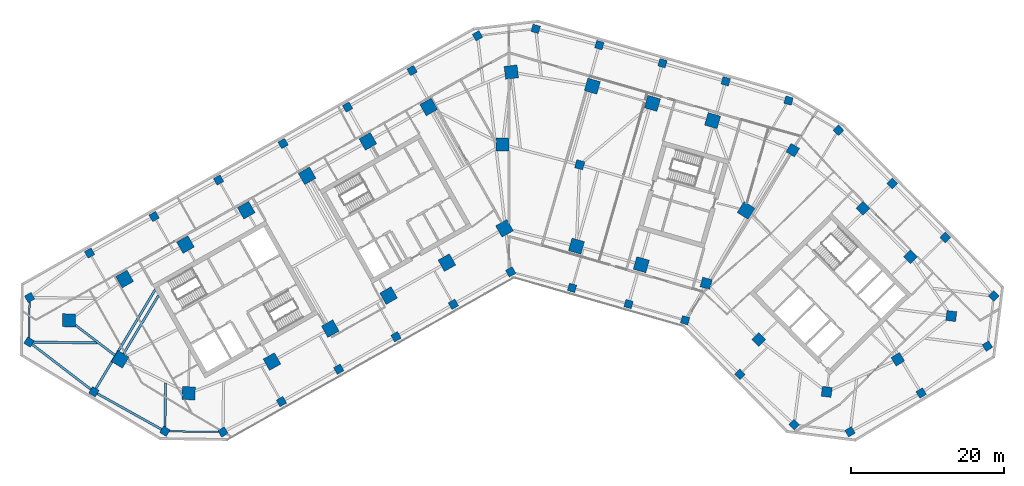
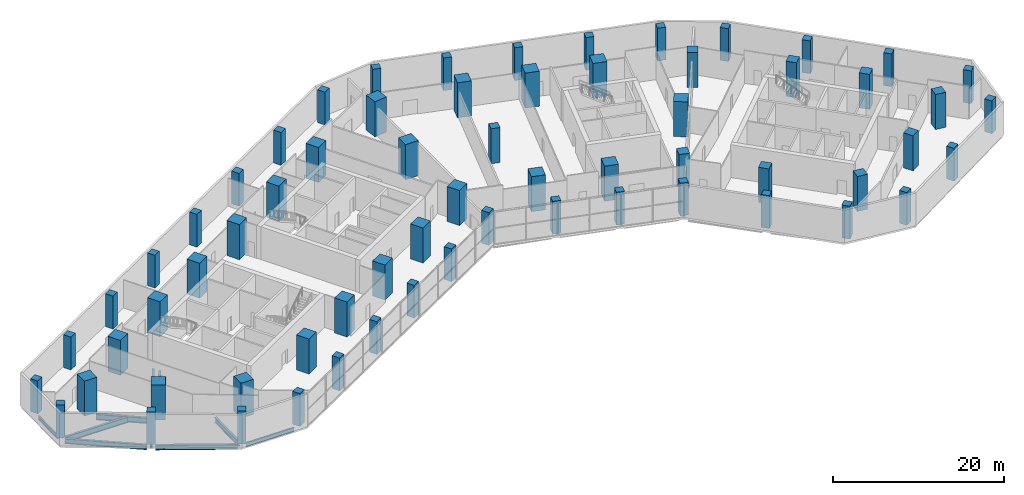
# One storey, part 1 of 16: 65 columns, 9 beams.
"""IFC4 building model written with IfcOpenShell, lengths in metres."""

from ifc_helpers import new_model, si_unit, direction, frame, origin, origin_2d, place, context, subcontext, project, spatial, rectangle, i_section, extrude, material, material_profile, profile_set, type_object, element, save


model = new_model("IFC4")

# Units and contexts
model_context = context("Model", 3, precision=1e-05, world=origin(), true_north=direction((0.0, 1.0)))
body_context = subcontext(model_context, "Body", "Model", "MODEL_VIEW")
ifc_project = project(units=[si_unit("LENGTHUNIT", "METRE"), si_unit("AREAUNIT", "SQUARE_METRE"), si_unit("VOLUMEUNIT", "CUBIC_METRE"), si_unit("PLANEANGLEUNIT", "RADIAN"), si_unit("MASSUNIT", "GRAM", prefix="KILO")], contexts=[model_context])

# Site, building, storey
site_placement = place(None, origin())
site = spatial("IfcSite", under=ifc_project, at=site_placement, CompositionType="ELEMENT")
building_placement = place(site_placement, origin())
building = spatial("IfcBuilding", under=site, at=building_placement, Name="Binnacle Exchange Tower", CompositionType="ELEMENT")
storey_placement = place(building_placement, frame((0.0, 0.0, 21.5)))
storey = spatial("IfcBuildingStorey", under=building, at=storey_placement, Name="L04", CompositionType="ELEMENT", Elevation=21.5)

# Columns
ifc_material_1 = material(Name="Concrete C60/75", Category="concrete")
ifc_material_profile_1 = material_profile(ifc_material_1, rectangle(XDim=1.10009765625, YDim=1.10009765625, at=origin_2d()), Name="Column 1100x1100 C60/75")
ifc_profile_set_1 = profile_set([ifc_material_profile_1], Name="Concrete C60/75")
column_type_1 = type_object("IfcColumnType", Name="Column 1100x1100 C60/75", PredefinedType="COLUMN", material=ifc_profile_set_1)
column_placement = place(storey_placement, frame((9.240966796875, 57.35009765625, 0.0), z_axis=(0.0, 0.0, 1.0), x_axis=(0.961261695938, -0.275637355817, 0.0)))
element("IfcColumn", 1, at=column_placement, inside=storey, type_object=column_type_1, Name="S:COL:C19:L04", PredefinedType="COLUMN", context=body_context, shape_type="SweptSolid", body=[
    extrude(rectangle(XDim=1.10009765625, YDim=1.10009765625, at=origin_2d()), origin(), (0.0, 0.0, 1.0), 5.0),
])
ifc_material_2 = material(Name="Concrete C70/85", Category="concrete")
ifc_material_profile_2 = material_profile(ifc_material_2, rectangle(XDim=1.300048828125, YDim=1.300048828125, at=origin_2d()), Name="Mega column 1300x1300 C70/85")
ifc_profile_set_2 = profile_set([ifc_material_profile_2], Name="Concrete C70/85")
column_type_2 = type_object("IfcColumnType", Name="Mega column 1300x1300 C70/85", PredefinedType="COLUMN", material=ifc_profile_set_2)
for number, where, z_axis, x_axis, name in (
    (2, (37.0849609375, 59.262451171875, 0.0), (0.0, 0.0, 1.0), (-0.859406411501, 0.511293086077, 0.0), "S:COL:MC57:L04"),
    (3, (25.766845703125, 41.85986328125, 0.0), (0.0, 0.0, 1.0), (0.961261695938, -0.275637355817, 0.0), "S:COL:MC56:L04"),
    (4, (32.64111328125, 34.530029296875, 0.0), (0.0, 0.0, 1.0), (0.7009092643, -0.713250449154, 0.0), "S:COL:MC59:L04"),
    (5, (41.519775390625, 27.6748046875, 0.0), (0.0, 0.0, 1.0), (0.99200494968, -0.126198969136, 0.0), "S:COL:MC61:L04"),
    (6, (50.81201171875, 31.930908203125, 0.0), (0.0, 0.0, 1.0), (0.857167300702, 0.51503807491, 0.0), "S:COL:MC63:L04"),
    (7, (57.799072265625, 37.5810546875, 0.0), (0.0, 0.0, 1.0), (0.126198969136, 0.99200494968, 0.0), "S:COL:MC62:L04"),
    (8, (52.466796875, 45.33935546875, 0.0), (0.0, 0.0, 1.0), (-0.7009092643, 0.713250449154, 0.0), "S:COL:MC60:L04"),
    (9, (46.248291015625, 51.667236328125, 0.0), (0.0, 0.0, 1.0), (-0.7009092643, 0.713250449154, 0.0), "S:COL:MC58:L04"),
):
    element("IfcColumn", number, at=place(storey_placement, frame(where, z_axis=z_axis, x_axis=x_axis)), inside=storey, type_object=column_type_2, Name=name, PredefinedType="COLUMN", context=body_context, shape_type="SweptSolid", body=[
        extrude(rectangle(XDim=1.300048828125, YDim=1.300048828125, at=origin_2d()), origin(), (0.0, 0.0, 1.0), 5.0),
    ])
ifc_material_profile_3 = material_profile(ifc_material_2, rectangle(XDim=1.699951171875, YDim=1.699951171875, at=origin_2d()), Name="Mega column 1700x1700 C70/85")
ifc_profile_set_3 = profile_set([ifc_material_profile_3], Name="Concrete C70/85")
column_type_3 = type_object("IfcColumnType", Name="Mega column 1700x1700 C70/85", PredefinedType="COLUMN", material=ifc_profile_set_3)
for number, where, z_axis, x_axis, name in (
    (10, (26.602783203125, 63.12353515625, 0.0), (0.0, 0.0, 1.0), (-0.961261695938, 0.275637355817, 0.0), "S:COL:MC52:L04"),
    (11, (18.746337890625, 65.376220703125, 0.0), (0.0, 0.0, 1.0), (-0.961261695938, 0.275637355817, 0.0), "S:COL:MC50:L04"),
    (12, (10.889892578125, 67.62890625, 0.0), (0.0, 0.0, 1.0), (-0.961261695938, 0.275637355817, 0.0), "S:COL:MC48:L04"),
    (13, (0.300048828125, 69.464111328125, 0.0), (0.0, 0.0, 1.0), (-0.993068456955, -0.117537397458, 0.0), "S:COL:MC47:L04"),
    (14, (-10.4951171875, 64.901611328125, 0.0), (0.0, 0.0, 1.0), (-0.87035569594, -0.492423560103, 0.0), "S:COL:MC38:L04"),
    (15, (-18.44140625, 60.406005859375, 0.0), (0.0, 0.0, 1.0), (-0.87035569594, -0.492423560103, 0.0), "S:COL:MC29:L04"),
    (16, (-26.3876953125, 55.91015625, 0.0), (0.0, 0.0, 1.0), (-0.87035569594, -0.492423560103, 0.0), "S:COL:MC21:L04"),
    (17, (-34.333740234375, 51.414306640625, 0.0), (0.0, 0.0, 1.0), (-0.87035569594, -0.492423560103, 0.0), "S:COL:MC13:L04"),
    (18, (-42.280029296875, 46.918701171875, 0.0), (0.0, 0.0, 1.0), (-0.87035569594, -0.492423560103, 0.0), "S:COL:MC08:L04"),
    (19, (-50.226318359375, 42.4228515625, 0.0), (0.0, 0.0, 1.0), (-0.87035569594, -0.492423560103, 0.0), "S:COL:MC04:L04"),
    (20, (-57.492919921875, 37.02734375, 0.0), (0.0, 0.0, 1.0), (-0.013089595571, -0.999914327574, 0.0), "S:COL:MC02:L04"),
    (21, (-50.81201171875, 31.930908203125, 0.0), (0.0, 0.0, 1.0), (0.857167300702, -0.51503807491, 0.0), "S:COL:MC01:L04"),
    (22, (-41.857666015625, 27.494873046875, 0.0), (0.0, 0.0, 1.0), (0.999914327574, -0.013089595571, 0.0), "S:COL:MC03:L04"),
    (23, (-30.9755859375, 31.63525390625, 0.0), (0.0, 0.0, 1.0), (0.87035569594, 0.492423560103, 0.0), "S:COL:MC07:L04"),
    (24, (-23.35595703125, 35.9462890625, 0.0), (0.0, 0.0, 1.0), (0.87035569594, 0.492423560103, 0.0), "S:COL:MC16:L04"),
    (25, (-15.736328125, 40.257080078125, 0.0), (0.0, 0.0, 1.0), (0.87035569594, 0.492423560103, 0.0), "S:COL:MC24:L04"),
    (26, (-8.116943359375, 44.568115234375, 0.0), (0.0, 0.0, 1.0), (0.87035569594, 0.492423560103, 0.0), "S:COL:MC35:L04"),
    (27, (-0.5908203125, 49.04443359375, 0.0), (0.0, 0.0, 1.0), (0.87035569594, 0.492423560103, 0.0), "S:COL:MC46:L04"),
    (28, (8.8095703125, 46.722412109375, 0.0), (0.0, 0.0, 1.0), (0.961261695938, -0.275637355817, 0.0), "S:COL:MC49:L04"),
    (29, (17.2880859375, 44.291015625, 0.0), (0.0, 0.0, 1.0), (0.961261695938, -0.275637355817, 0.0), "S:COL:MC51:L04"),
    (30, (30.989501953125, 51.38623046875, 0.0), (0.0, 0.0, 1.0), (0.529919264233, 0.848048096156, 0.0), "S:COL:MC55:L04"),
    (31, (-0.85009765625, 60.0, 0.0), (0.0, 0.0, 1.0), (0.0, 1.0, 0.0), "S:COL:MC45:L04"),
):
    element("IfcColumn", number, at=place(storey_placement, frame(where, z_axis=z_axis, x_axis=x_axis)), inside=storey, type_object=column_type_3, Name=name, PredefinedType="COLUMN", context=body_context, shape_type="SweptSolid", body=[
        extrude(rectangle(XDim=1.699951171875, YDim=1.699951171875, at=origin_2d()), origin(), (0.0, 0.0, 1.0), 5.0),
    ])
ifc_material_3 = material(Name="Concrete C50/60", Category="concrete")
ifc_material_profile_4 = material_profile(ifc_material_3, rectangle(XDim=1.0, YDim=1.0, at=origin_2d()), Name="Podium column 1000x1000 C50/60")
ifc_profile_set_4 = profile_set([ifc_material_profile_4], Name="Concrete C50/60")
column_type_4 = type_object("IfcColumnType", Name="Podium column 1000x1000 C50/60", PredefinedType="COLUMN", material=ifc_profile_set_4)
for number, where, z_axis, x_axis, name in (
    (32, (36.5283203125, 65.739013671875, 0.0), (0.0, 0.0, 1.0), (-0.961261695938, 0.275637355817, 0.0), "S:COL:C25:L04"),
    (33, (28.31591796875, 68.249755859375, 0.0), (0.0, 0.0, 1.0), (-0.961261695938, 0.275637355817, 0.0), "S:COL:C24:L04"),
    (34, (20.0625, 70.616455078125, 0.0), (0.0, 0.0, 1.0), (-0.961261695938, 0.275637355817, 0.0), "S:COL:C22:L04"),
    (35, (11.808837890625, 72.983154296875, 0.0), (0.0, 0.0, 1.0), (-0.961261695938, 0.275637355817, 0.0), "S:COL:C20:L04"),
    (36, (3.486083984375, 75.109619140625, 0.0), (0.0, 0.0, 1.0), (-0.961261695938, 0.275637355817, 0.0), "S:COL:C18:L04"),
    (37, (-4.115966796875, 74.209716796875, 0.0), (0.0, 0.0, 1.0), (-0.87035569594, -0.492423560103, 0.0), "S:COL:C16:L04"),
    (38, (-12.66748046875, 69.65869140625, 0.0), (0.0, 0.0, 1.0), (-0.87035569594, -0.492423560103, 0.0), "S:COL:C15:L04"),
    (39, (-21.095703125, 64.89013671875, 0.0), (0.0, 0.0, 1.0), (-0.87035569594, -0.492423560103, 0.0), "S:COL:C13:L04"),
    (40, (-29.524169921875, 60.12158203125, 0.0), (0.0, 0.0, 1.0), (-0.87035569594, -0.492423560103, 0.0), "S:COL:C11:L04"),
    (41, (-37.95263671875, 55.35302734375, 0.0), (0.0, 0.0, 1.0), (-0.87035569594, -0.492423560103, 0.0), "S:COL:C10:L04"),
    (42, (-46.381103515625, 50.58447265625, 0.0), (0.0, 0.0, 1.0), (-0.87035569594, -0.492423560103, 0.0), "S:COL:C08:L04"),
    (43, (-54.8095703125, 45.81591796875, 0.0), (0.0, 0.0, 1.0), (-0.87035569594, -0.492423560103, 0.0), "S:COL:C06:L04"),
    (44, (-62.64697265625, 40.0029296875, 0.0), (0.0, 0.0, 1.0), (-0.87035569594, -0.492423560103, 0.0), "S:COL:C05:L04"),
    (45, (-62.722900390625, 34.18798828125, 0.0), (0.0, 0.0, 1.0), (0.857167300702, -0.51503807491, 0.0), "S:COL:C03:L04"),
    (46, (-54.244873046875, 27.69384765625, 0.0), (0.0, 0.0, 1.0), (0.857167300702, -0.51503807491, 0.0), "S:COL:C02:L04"),
    (47, (-44.968505859375, 22.5283203125, 0.0), (0.0, 0.0, 1.0), (0.857167300702, -0.51503807491, 0.0), "S:COL:C01:L04"),
    (48, (-37.378173828125, 22.428955078125, 0.0), (0.0, 0.0, 1.0), (0.87035569594, 0.492423560103, 0.0), "S:COL:C04:L04"),
    (49, (-29.740478515625, 26.4052734375, 0.0), (0.0, 0.0, 1.0), (0.87035569594, 0.492423560103, 0.0), "S:COL:C07:L04"),
    (50, (-22.250732421875, 30.642822265625, 0.0), (0.0, 0.0, 1.0), (0.87035569594, 0.492423560103, 0.0), "S:COL:C09:L04"),
    (51, (-14.760986328125, 34.88037109375, 0.0), (0.0, 0.0, 1.0), (0.87035569594, 0.492423560103, 0.0), "S:COL:C12:L04"),
    (52, (-7.27099609375, 39.117919921875, 0.0), (0.0, 0.0, 1.0), (0.87035569594, 0.492423560103, 0.0), "S:COL:C14:L04"),
    (53, (0.21875, 43.35546875, 0.0), (0.0, 0.0, 1.0), (0.87035569594, 0.492423560103, 0.0), "S:COL:C17:L04"),
    (54, (8.242919921875, 41.26708984375, 0.0), (0.0, 0.0, 1.0), (0.961261695938, -0.275637355817, 0.0), "S:COL:C21:L04"),
    (55, (15.6279296875, 39.1494140625, 0.0), (0.0, 0.0, 1.0), (0.961261695938, -0.275637355817, 0.0), "S:COL:C23:L04"),
    (56, (23.01318359375, 37.031982421875, 0.0), (0.0, 0.0, 1.0), (0.961261695938, -0.275637355817, 0.0), "S:COL:C26:L04"),
    (57, (30.17236328125, 29.9658203125, 0.0), (0.0, 0.0, 1.0), (0.7009092643, -0.713250449154, 0.0), "S:COL:C29:L04"),
    (58, (37.26708984375, 23.38818359375, 0.0), (0.0, 0.0, 1.0), (0.7009092643, -0.713250449154, 0.0), "S:COL:C32:L04"),
    (59, (44.563720703125, 22.4599609375, 0.0), (0.0, 0.0, 1.0), (0.857167300702, 0.51503807491, 0.0), "S:COL:C35:L04"),
    (60, (53.86376953125, 27.52294921875, 0.0), (0.0, 0.0, 1.0), (0.857167300702, 0.51503807491, 0.0), "S:COL:C34:L04"),
    (61, (62.52001953125, 33.65771484375, 0.0), (0.0, 0.0, 1.0), (0.857167300702, 0.51503807491, 0.0), "S:COL:C33:L04"),
    (62, (63.35205078125, 40.197509765625, 0.0), (0.0, 0.0, 1.0), (-0.7009092643, 0.713250449154, 0.0), "S:COL:C31:L04"),
    (63, (57.02197265625, 47.8515625, 0.0), (0.0, 0.0, 1.0), (-0.7009092643, 0.713250449154, 0.0), "S:COL:C30:L04"),
    (64, (50.085693359375, 54.91015625, 0.0), (0.0, 0.0, 1.0), (-0.7009092643, 0.713250449154, 0.0), "S:COL:C28:L04"),
    (65, (43.04248046875, 61.86328125, 0.0), (0.0, 0.0, 1.0), (-0.7009092643, 0.713250449154, 0.0), "S:COL:C27:L04"),
):
    element("IfcColumn", number, at=place(storey_placement, frame(where, z_axis=z_axis, x_axis=x_axis)), inside=storey, type_object=column_type_4, Name=name, PredefinedType="COLUMN", context=body_context, shape_type="SweptSolid", body=[
        extrude(rectangle(XDim=1.0, YDim=1.0, at=origin_2d()), origin(), (0.0, 0.0, 1.0), 4.679931640625),
    ])

# Beams
ifc_material_4 = material(Name="Steel S355 (SHN355)", Category="steel")
ifc_material_profile_5 = material_profile(ifc_material_4, i_section(OverallWidth=0.199951171875, OverallDepth=0.5, WebThickness=0.010009765625, FlangeThickness=0.01611328125, FilletRadius=0.02001953125, at=origin_2d()), Name="H 500x200x10x16")
ifc_profile_set_5 = profile_set([ifc_material_profile_5], Name="Steel S355 (SHN355)")
beam_type_1 = type_object("IfcBeamType", Name="Edge girder H 500x200x10x16 Steel S355 (SHN355)", PredefinedType="SPANDREL", material=ifc_profile_set_5)
beam_1_placement = place(storey_placement, frame((-62.71533203125, 34.7666015625, -0.60009765625), z_axis=(0.013051255038, 0.999914828744, 0.0), x_axis=(-0.999914828744, 0.013051255038, 0.0)))
element("IfcBeam", 66, at=beam_1_placement, inside=storey, type_object=beam_type_1, Name="S:BM:edge:L04:014", PredefinedType="SPANDREL", context=body_context, shape_type="SweptSolid", body=[
    extrude(i_section(OverallWidth=0.199951171875, OverallDepth=0.5, WebThickness=0.010009765625, FlangeThickness=0.01611328125, FilletRadius=0.02001953125, at=origin_2d()), origin(), (0.0, 0.0, 1.0), 4.657958984375),
])
ifc_material_profile_6 = material_profile(ifc_material_4, i_section(OverallWidth=0.200927734375, OverallDepth=0.60595703125, WebThickness=0.011962890625, FlangeThickness=0.02001953125, FilletRadius=0.02197265625, at=origin_2d()), Name="H 606x201x12x20")
ifc_profile_set_6 = profile_set([ifc_material_profile_6], Name="Steel S355 (SHN355)")
beam_type_2 = type_object("IfcBeamType", Name="Edge girder H 606x201x12x20 Steel S355 (SHN355)", PredefinedType="SPANDREL", material=ifc_profile_set_6)
beam_2_placement = place(storey_placement, frame((-37.95703125, 22.4365234375, -0.653076171875), z_axis=(-0.999914291463, 0.013092353811, 0.0), x_axis=(-0.013092353811, -0.999914291463, 0.0)))
element("IfcBeam", 67, at=beam_2_placement, inside=storey, type_object=beam_type_2, Name="S:BM:edge:L04:025", PredefinedType="SPANDREL", context=body_context, shape_type="SweptSolid", body=[
    extrude(i_section(OverallWidth=0.200927734375, OverallDepth=0.60595703125, WebThickness=0.011962890625, FlangeThickness=0.02001953125, FilletRadius=0.02197265625, at=origin_2d()), origin(), (0.0, 0.0, 1.0), 6.433349609375),
])
ifc_material_profile_7 = material_profile(ifc_material_4, i_section(OverallWidth=0.300048828125, OverallDepth=0.699951171875, WebThickness=0.012939453125, FlangeThickness=0.02392578125, FilletRadius=0.028076171875, at=origin_2d()), Name="H 700x300x13x24")
ifc_profile_set_7 = profile_set([ifc_material_profile_7], Name="Steel S355 (SHN355)")
beam_type_3 = type_object("IfcBeamType", Name="Edge girder H 700x300x13x24 Steel S355 (SHN355)", PredefinedType="SPANDREL", material=ifc_profile_set_7)
beam_3_placement = place(storey_placement, frame((-54.644287109375, 27.999755859375, -0.699951171875), z_axis=(-0.793871146685, 0.608086015676, 0.0), x_axis=(-0.608086015676, -0.793871146685, 0.0)))
element("IfcBeam", 68, at=beam_3_placement, inside=storey, type_object=beam_type_3, Name="S:BM:edge:L04:017", PredefinedType="SPANDREL", context=body_context, shape_type="SweptSolid", body=[
    extrude(i_section(OverallWidth=0.300048828125, OverallDepth=0.699951171875, WebThickness=0.012939453125, FlangeThickness=0.02392578125, FilletRadius=0.028076171875, at=origin_2d()), origin(), (0.0, 0.0, 1.0), 9.673095703125),
])
beam_4_placement = place(storey_placement, frame((-45.40576171875, 22.771728515625, -0.699951171875), z_axis=(-0.873676660619, 0.486507032518, 0.0), x_axis=(-0.486507032518, -0.873676660619, 0.0)))
element("IfcBeam", 69, at=beam_4_placement, inside=storey, type_object=beam_type_3, Name="S:BM:edge:L04:022", PredefinedType="SPANDREL", context=body_context, shape_type="SweptSolid", body=[
    extrude(i_section(OverallWidth=0.300048828125, OverallDepth=0.699951171875, WebThickness=0.012939453125, FlangeThickness=0.02392578125, FilletRadius=0.028076171875, at=origin_2d()), origin(), (0.0, 0.0, 1.0), 9.616943359375),
])
ifc_material_profile_8 = material_profile(ifc_material_4, i_section(OverallWidth=0.302001953125, OverallDepth=0.80810546875, WebThickness=0.01611328125, FlangeThickness=0.030029296875, FilletRadius=0.028076171875, at=origin_2d()), Name="H 808x302x16x30")
ifc_profile_set_8 = profile_set([ifc_material_profile_8], Name="Steel S355 (SHN355)")
beam_type_4 = type_object("IfcBeamType", Name="Edge girder H 808x302x16x30 Steel S355 (SHN355)", PredefinedType="SPANDREL", material=ifc_profile_set_8)
beam_5_placement = place(storey_placement, frame((-56.6513671875, 36.38525390625, -0.75390625), z_axis=(0.795093040263, -0.606487474994, 0.0), x_axis=(0.606487474994, 0.795093040263, 0.0)))
element("IfcBeam", 70, at=beam_5_placement, inside=storey, type_object=beam_type_4, Name="S:BM:edge:L04:016", PredefinedType="SPANDREL", context=body_context, shape_type="SweptSolid", body=[
    extrude(i_section(OverallWidth=0.302001953125, OverallDepth=0.80810546875, WebThickness=0.01611328125, FlangeThickness=0.030029296875, FilletRadius=0.028076171875, at=origin_2d()), origin(), (0.0, 0.0, 1.0), 6.489013671875),
])
ifc_material_profile_9 = material_profile(ifc_material_4, i_section(OverallWidth=0.300048828125, OverallDepth=0.699951171875, WebThickness=0.012939453125, FlangeThickness=0.02392578125, FilletRadius=0.028076171875, at=origin_2d()), Name="H 700x300x13x24")
ifc_profile_set_9 = profile_set([ifc_material_profile_9], Name="Steel S355 (SHN355)")
beam_type_5 = type_object("IfcBeamType", Name="Floor beam H 700x300x13x24 Steel S355 (SHN355)", PredefinedType="BEAM", material=ifc_profile_set_9)
beam_6_placement = place(storey_placement, frame((-44.9609375, 23.107177734375, -0.699951171875), z_axis=(0.013063826795, 0.999914664574, 0.0), x_axis=(-0.999914664574, 0.013063826795, 0.0)))
element("IfcBeam", 71, at=beam_6_placement, inside=storey, type_object=beam_type_5, Name="S:BM:cross:L04:082", PredefinedType="BEAM", context=body_context, shape_type="SweptSolid", body=[
    extrude(i_section(OverallWidth=0.300048828125, OverallDepth=0.699951171875, WebThickness=0.012939453125, FlangeThickness=0.02392578125, FilletRadius=0.028076171875, at=origin_2d()), origin(), (0.0, 0.0, 1.0), 5.7373046875),
])
ifc_material_profile_10 = material_profile(ifc_material_4, i_section(OverallWidth=0.302001953125, OverallDepth=0.80810546875, WebThickness=0.01611328125, FlangeThickness=0.030029296875, FilletRadius=0.028076171875, at=origin_2d()), Name="H 808x302x16x30")
ifc_profile_set_10 = profile_set([ifc_material_profile_10], Name="Steel S355 (SHN355)")
beam_type_6 = type_object("IfcBeamType", Name="Floor beam H 808x302x16x30 Steel S355 (SHN355)", PredefinedType="BEAM", material=ifc_profile_set_10)
beam_7_placement = place(storey_placement, frame((-62.144287109375, 34.180419921875, -0.75390625), z_axis=(0.999914070306, -0.013109233529, 0.0), x_axis=(0.013109233529, 0.999914070306, 0.0)))
element("IfcBeam", 72, at=beam_7_placement, inside=storey, type_object=beam_type_6, Name="S:BM:cross:L04:076", PredefinedType="BEAM", context=body_context, shape_type="SweptSolid", body=[
    extrude(i_section(OverallWidth=0.302001953125, OverallDepth=0.80810546875, WebThickness=0.01611328125, FlangeThickness=0.030029296875, FilletRadius=0.028076171875, at=origin_2d()), origin(), (0.0, 0.0, 1.0), 8.380615234375),
])
beam_8_placement = place(storey_placement, frame((-50.374267578125, 32.659423828125, -0.75390625), z_axis=(0.515042389499, 0.857164708221, 0.0), x_axis=(-0.857164708221, 0.515042389499, 0.0)))
element("IfcBeam", 73, at=beam_8_placement, inside=storey, type_object=beam_type_6, Name="S:BM:cross:L04:080", PredefinedType="BEAM", context=body_context, shape_type="SweptSolid", body=[
    extrude(i_section(OverallWidth=0.302001953125, OverallDepth=0.80810546875, WebThickness=0.01611328125, FlangeThickness=0.030029296875, FilletRadius=0.028076171875, at=origin_2d()), origin(), (0.0, 0.0, 1.0), 8.865234375),
])
ifc_material_profile_11 = material_profile(ifc_material_4, i_section(OverallWidth=0.302978515625, OverallDepth=0.91796875, WebThickness=0.01904296875, FlangeThickness=0.037109375, FilletRadius=0.028076171875, at=origin_2d()), Name="H 918x303x19x37")
ifc_profile_set_11 = profile_set([ifc_material_profile_11], Name="Steel S355 (SHN355)")
beam_type_7 = type_object("IfcBeamType", Name="Floor beam H 918x303x19x37 Steel S355 (SHN355)", PredefinedType="BEAM", material=ifc_profile_set_11)
beam_9_placement = place(storey_placement, frame((-53.9873046875, 28.122314453125, -0.80908203125), z_axis=(0.515027805522, 0.857173471089, 0.0), x_axis=(-0.857173471089, 0.515027805522, 0.0)))
element("IfcBeam", 74, at=beam_9_placement, inside=storey, type_object=beam_type_7, Name="S:BM:cross:L04:079", PredefinedType="BEAM", context=body_context, shape_type="SweptSolid", body=[
    extrude(i_section(OverallWidth=0.302978515625, OverallDepth=0.91796875, WebThickness=0.01904296875, FlangeThickness=0.037109375, FilletRadius=0.028076171875, at=origin_2d()), origin(), (0.0, 0.0, 1.0), 15.04541015625),
])

save(model, "model.ifc")
